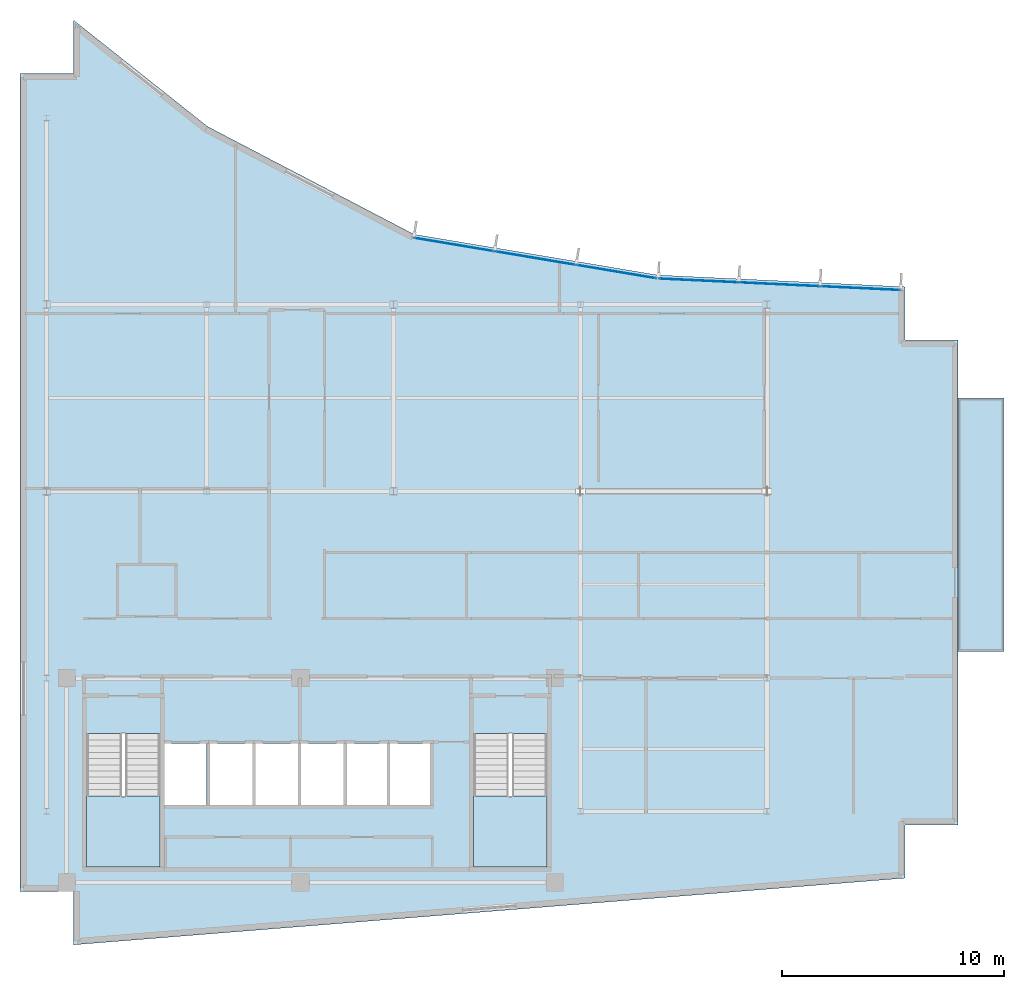
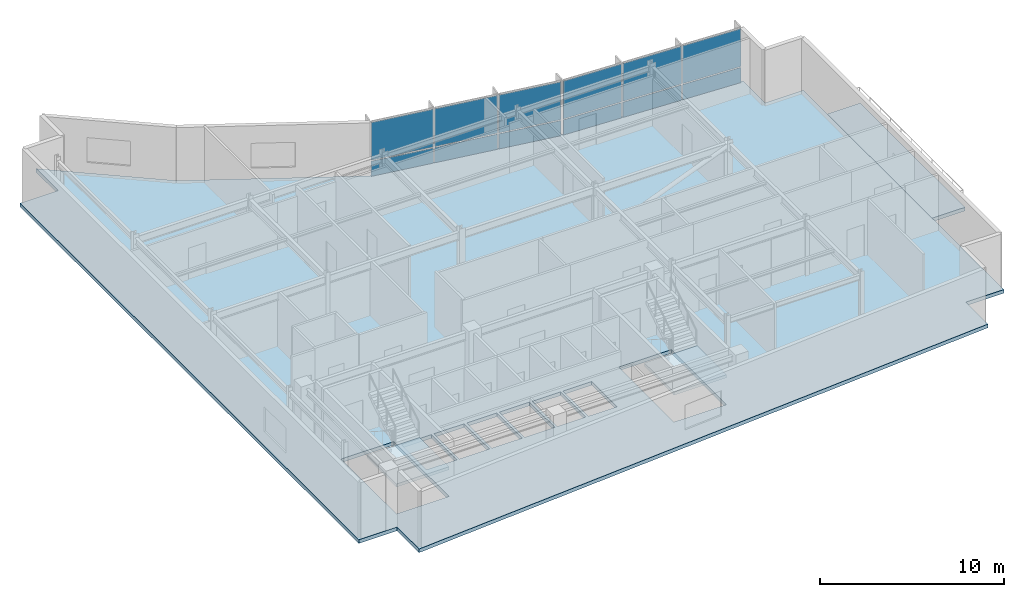
# One storey, part 9 of 17: 12 plates, 4 slabs, 4 elements without a shape of their own.
"""IFC4 building model written with IfcOpenShell, lengths in metres."""

from ifc_helpers import new_model, si_unit, direction, frame, origin, origin_2d, place, context, subcontext, project, spatial, polyline, rectangle, outline, extrude, material, layer, layer_set, type_object, element, aggregate, save


model = new_model("IFC4")

# Units and contexts
model_context = context("Model", 3, precision=1e-05, world=origin(), true_north=direction((0.0, 1.0)))
body_context = subcontext(model_context, "Body", "Model", "MODEL_VIEW")
ifc_project = project(units=[si_unit("LENGTHUNIT", "METRE"), si_unit("AREAUNIT", "SQUARE_METRE"), si_unit("VOLUMEUNIT", "CUBIC_METRE"), si_unit("PLANEANGLEUNIT", "RADIAN"), si_unit("MASSUNIT", "GRAM", prefix="KILO")], contexts=[model_context])

# Site, building, storey
site_placement = place(None, origin())
site = spatial("IfcSite", under=ifc_project, at=site_placement, CompositionType="ELEMENT")
building_placement = place(site_placement, origin())
building = spatial("IfcBuilding", under=site, at=building_placement, Name="Varnakote Quay Hospital", CompositionType="ELEMENT")
storey_placement = place(building_placement, frame((0.0, 0.0, 256.550048828125)))
storey = spatial("IfcBuildingStorey", under=building, at=storey_placement, Name="L63", CompositionType="ELEMENT", Elevation=256.550048828125)

# Curtain wall, plates
ifc_material_1 = material(Name="Anodised aluminium 6063-T6 Bronze", Category="aluminium")
ifc_layer_1 = layer(ifc_material_1, 0.235107421875)
ifc_layer_set_1 = layer_set([ifc_layer_1], Name="Anodised aluminium 6063-T6 Bronze")
curtain_wall_type = type_object("IfcCurtainWallType", Name="CW-SYS-5", PredefinedType="NOTDEFINED", material=ifc_layer_set_1)
curtain_wall_1_placement = place(storey_placement, origin())
curtain_wall_1 = element("IfcCurtainWall", 1, at=curtain_wall_1_placement, inside=storey, type_object=curtain_wall_type, Name="L63 Unitised Bronze Curtain Wall 1", PredefinedType="NOTDEFINED")
ifc_material_2 = material(Name="Double-glazed low-E solar glass", Category="glass")
ifc_layer_2 = layer(ifc_material_2, 0.028076171875)
ifc_layer_set_2 = layer_set([ifc_layer_2], Name="Double-glazed low-E solar glass")
plate_type = type_object("IfcPlateType", Name="CW-PNL-GLZ-28", PredefinedType="CURTAIN_PANEL", material=ifc_layer_set_2)
plate_1_placement = place(storey_placement, frame((37.796875, 29.53515625, 0.06494140625), z_axis=(0.0, 0.0, 1.0), x_axis=(-0.998871392955, 0.04749674026, 0.0)))
plate_1 = element("IfcPlate", 2, at=plate_1_placement, type_object=plate_type, Name="-5-L63-1 panel 1.1", PredefinedType="CURTAIN_PANEL", context=body_context, shape_type="SweptSolid", body=[
    extrude(rectangle(XDim=3.560302734375, YDim=0.028076171875, at=origin_2d()), origin(), (0.0, 0.0, 1.0), 1.00244140625),
])
plate_2_placement = place(storey_placement, frame((37.796875, 29.53515625, 1.13232421875), z_axis=(0.0, 0.0, 1.0), x_axis=(-0.998871392955, 0.04749674026, 0.0)))
plate_2 = element("IfcPlate", 3, at=plate_2_placement, type_object=plate_type, Name="-5-L63-1 panel 1.2", PredefinedType="CURTAIN_PANEL", context=body_context, shape_type="SweptSolid", body=[
    extrude(rectangle(XDim=3.560302734375, YDim=0.028076171875, at=origin_2d()), origin(), (0.0, 0.0, 1.0), 2.512451171875),
])
plate_3_placement = place(storey_placement, frame((34.159423828125, 29.7080078125, 0.06494140625), z_axis=(0.0, 0.0, 1.0), x_axis=(-0.998871392955, 0.04749674026, 0.0)))
plate_3 = element("IfcPlate", 4, at=plate_3_placement, type_object=plate_type, Name="-5-L63-1 panel 2.1", PredefinedType="CURTAIN_PANEL", context=body_context, shape_type="SweptSolid", body=[
    extrude(rectangle(XDim=3.5927734375, YDim=0.028076171875, at=origin_2d()), origin(), (0.0, 0.0, 1.0), 1.00244140625),
])
plate_4_placement = place(storey_placement, frame((34.159423828125, 29.7080078125, 1.13232421875), z_axis=(0.0, 0.0, 1.0), x_axis=(-0.998871392955, 0.04749674026, 0.0)))
plate_4 = element("IfcPlate", 5, at=plate_4_placement, type_object=plate_type, Name="-5-L63-1 panel 2.2", PredefinedType="CURTAIN_PANEL", context=body_context, shape_type="SweptSolid", body=[
    extrude(rectangle(XDim=3.5927734375, YDim=0.028076171875, at=origin_2d()), origin(), (0.0, 0.0, 1.0), 2.512451171875),
])
plate_5_placement = place(storey_placement, frame((30.52197265625, 29.880859375, 0.06494140625), z_axis=(0.0, 0.0, 1.0), x_axis=(-0.998871392955, 0.04749674026, 0.0)))
plate_5 = element("IfcPlate", 6, at=plate_5_placement, type_object=plate_type, Name="-5-L63-1 panel 3.1", PredefinedType="CURTAIN_PANEL", context=body_context, shape_type="SweptSolid", body=[
    extrude(rectangle(XDim=3.560302734375, YDim=0.028076171875, at=origin_2d()), origin(), (0.0, 0.0, 1.0), 1.00244140625),
])
plate_6_placement = place(storey_placement, frame((30.52197265625, 29.880859375, 1.13232421875), z_axis=(0.0, 0.0, 1.0), x_axis=(-0.998871392955, 0.04749674026, 0.0)))
plate_6 = element("IfcPlate", 7, at=plate_6_placement, type_object=plate_type, Name="-5-L63-1 panel 3.2", PredefinedType="CURTAIN_PANEL", context=body_context, shape_type="SweptSolid", body=[
    extrude(rectangle(XDim=3.560302734375, YDim=0.028076171875, at=origin_2d()), origin(), (0.0, 0.0, 1.0), 2.512451171875),
])
aggregate(curtain_wall_1, [plate_1, plate_2, plate_3, plate_4, plate_5, plate_6])

curtain_wall_2_placement = place(storey_placement, origin())
curtain_wall_2 = element("IfcCurtainWall", 8, at=curtain_wall_2_placement, inside=storey, type_object=curtain_wall_type, Name="L63 Unitised Bronze Curtain Wall 2", PredefinedType="NOTDEFINED")
plate_7_placement = place(storey_placement, frame((26.82861328125, 30.277587890625, 0.06494140625), z_axis=(0.0, 0.0, 1.0), x_axis=(-0.98634471271, 0.164693982005, 0.0)))
plate_7 = element("IfcPlate", 9, at=plate_7_placement, type_object=plate_type, Name="-5-L63-2 panel 1.1", PredefinedType="CURTAIN_PANEL", context=body_context, shape_type="SweptSolid", body=[
    extrude(rectangle(XDim=3.6220703125, YDim=0.028076171875, at=origin_2d()), origin(), (0.0, 0.0, 1.0), 1.00244140625),
])
plate_8_placement = place(storey_placement, frame((26.82861328125, 30.277587890625, 1.13232421875), z_axis=(0.0, 0.0, 1.0), x_axis=(-0.98634471271, 0.164693982005, 0.0)))
plate_8 = element("IfcPlate", 10, at=plate_8_placement, type_object=plate_type, Name="-5-L63-2 panel 1.2", PredefinedType="CURTAIN_PANEL", context=body_context, shape_type="SweptSolid", body=[
    extrude(rectangle(XDim=3.6220703125, YDim=0.028076171875, at=origin_2d()), origin(), (0.0, 0.0, 1.0), 2.512451171875),
])
plate_9_placement = place(storey_placement, frame((23.17578125, 30.887451171875, 0.06494140625), z_axis=(0.0, 0.0, 1.0), x_axis=(-0.98634471271, 0.164693982005, 0.0)))
plate_9 = element("IfcPlate", 11, at=plate_9_placement, type_object=plate_type, Name="-5-L63-2 panel 2.1", PredefinedType="CURTAIN_PANEL", context=body_context, shape_type="SweptSolid", body=[
    extrude(rectangle(XDim=3.654541015625, YDim=0.028076171875, at=origin_2d()), origin(), (0.0, 0.0, 1.0), 1.00244140625),
])
plate_10_placement = place(storey_placement, frame((23.17578125, 30.887451171875, 1.13232421875), z_axis=(0.0, 0.0, 1.0), x_axis=(-0.98634471271, 0.164693982005, 0.0)))
plate_10 = element("IfcPlate", 12, at=plate_10_placement, type_object=plate_type, Name="-5-L63-2 panel 2.2", PredefinedType="CURTAIN_PANEL", context=body_context, shape_type="SweptSolid", body=[
    extrude(rectangle(XDim=3.654541015625, YDim=0.028076171875, at=origin_2d()), origin(), (0.0, 0.0, 1.0), 2.512451171875),
])
plate_11_placement = place(storey_placement, frame((19.52294921875, 31.497314453125, 0.06494140625), z_axis=(0.0, 0.0, 1.0), x_axis=(-0.98634471271, 0.164693982005, 0.0)))
plate_11 = element("IfcPlate", 13, at=plate_11_placement, type_object=plate_type, Name="-5-L63-2 panel 3.1", PredefinedType="CURTAIN_PANEL", context=body_context, shape_type="SweptSolid", body=[
    extrude(rectangle(XDim=3.6220703125, YDim=0.028076171875, at=origin_2d()), origin(), (0.0, 0.0, 1.0), 1.00244140625),
])
plate_12_placement = place(storey_placement, frame((19.52294921875, 31.497314453125, 1.13232421875), z_axis=(0.0, 0.0, 1.0), x_axis=(-0.98634471271, 0.164693982005, 0.0)))
plate_12 = element("IfcPlate", 14, at=plate_12_placement, type_object=plate_type, Name="-5-L63-2 panel 3.2", PredefinedType="CURTAIN_PANEL", context=body_context, shape_type="SweptSolid", body=[
    extrude(rectangle(XDim=3.6220703125, YDim=0.028076171875, at=origin_2d()), origin(), (0.0, 0.0, 1.0), 2.512451171875),
])
aggregate(curtain_wall_2, [plate_7, plate_8, plate_9, plate_10, plate_11, plate_12])

# Stair, slab
ifc_material_3 = material(Name="Concrete N40 (f'c 40 MPa)", Category="concrete")
stair_type = type_object("IfcStairType", Name="STR-CORE-1580", PredefinedType="HALF_TURN_STAIR", material=ifc_material_3)
stair_1_placement = place(storey_placement, origin())
stair_1 = element("IfcStair", 15, at=stair_1_placement, inside=storey, type_object=stair_type, Name="L63 Fire-Isolated Exit Stair ST-01", PredefinedType="HALF_TURN_STAIR")
ifc_material_4 = material(Name="Concrete N40 (f'c 40 MPa)", Category="concrete")
ifc_layer_3 = layer(ifc_material_4, 0.199951171875)
ifc_layer_set_3 = layer_set([ifc_layer_3], Name="Concrete N40 (f'c 40 MPa)")
slab_type_1 = type_object("IfcSlabType", Name="SLB-STAIR-LND-200", PredefinedType="LANDING", material=ifc_layer_set_3)
slab_1_placement = place(storey_placement, frame((0.0, 0.0, 1.77490234375)))
slab_1 = element("IfcSlab", 16, at=slab_1_placement, type_object=slab_type_1, Name="ST-01 landing 1", PredefinedType="LANDING", context=body_context, shape_type="SweptSolid", body=[
    extrude(outline(polyline([(3.0, 6.699951171875), (3.0, 3.5), (6.300048828125, 3.5), (6.300048828125, 6.699951171875), (3.0, 6.699951171875)])), origin(), (0.0, 0.0, 1.0), 0.199951171875),
])
aggregate(stair_1, [slab_1])

stair_2_placement = place(storey_placement, origin())
stair_2 = element("IfcStair", 17, at=stair_2_placement, inside=storey, type_object=stair_type, Name="L63 Fire-Isolated Exit Stair ST-02", PredefinedType="HALF_TURN_STAIR")
slab_2_placement = place(storey_placement, frame((0.0, 0.0, 1.77490234375)))
slab_2 = element("IfcSlab", 18, at=slab_2_placement, type_object=slab_type_1, Name="ST-02 landing 1", PredefinedType="LANDING", context=body_context, shape_type="SweptSolid", body=[
    extrude(outline(polyline([(20.39990234375, 6.699951171875), (20.39990234375, 3.5), (23.699951171875, 3.5), (23.699951171875, 6.699951171875), (20.39990234375, 6.699951171875)])), origin(), (0.0, 0.0, 1.0), 0.199951171875),
])
aggregate(stair_2, [slab_2])

# Slabs
ifc_material_5 = material(Name="Concrete N50 (f'c 50 MPa)", Category="concrete")
ifc_layer_4 = layer(ifc_material_5, 0.239990234375)
ifc_layer_set_4 = layer_set([ifc_layer_4], Name="Concrete N50 (f'c 50 MPa)")
slab_type_2 = type_object("IfcSlabType", Name="SLB-TERR-200", PredefinedType="FLOOR", material=ifc_layer_set_4)
slab_3_placement = place(storey_placement, frame((0.0, 0.0, -0.239990234375)))
element("IfcSlab", 19, at=slab_3_placement, inside=storey, type_object=slab_type_2, Name="L63 Waterfront Healing Terrace Slab", PredefinedType="FLOOR", context=body_context, shape_type="SweptSolid", body=[
    extrude(outline(polyline([(42.196044921875, 24.60009765625), (42.196044921875, 13.199951171875), (44.260009765625, 13.199951171875), (44.260009765625, 24.60009765625), (42.196044921875, 24.60009765625)])), origin(), (0.0, 0.0, 1.0), 0.239990234375),
])
ifc_material_6 = material(Name="Concrete N50 (f'c 50 MPa)", Category="concrete")
ifc_layer_5 = layer(ifc_material_6, 0.239990234375)
ifc_layer_set_5 = layer_set([ifc_layer_5], Name="Concrete N50 (f'c 50 MPa)")
slab_type_3 = type_object("IfcSlabType", Name="SLB-WARD-200", PredefinedType="FLOOR", material=ifc_layer_set_5)
slab_4_placement = place(storey_placement, frame((0.0, 0.0, -0.239990234375)))
element("IfcSlab", 20, at=slab_4_placement, inside=storey, type_object=slab_type_3, Name="L63 Primary Floor Slab", PredefinedType="FLOOR", context=body_context, shape_type="SweptSolid", body=[
    extrude(outline(polyline([(0.0, 2.39990234375), (2.39990234375, 2.39990234375), (2.39990234375, 0.0), (39.800048828125, 3.0), (39.800048828125, 5.39990234375), (42.199951171875, 5.39990234375), (42.199951171875, 27.199951171875), (39.800048828125, 27.199951171875), (39.800048828125, 29.60009765625), (28.696044921875, 30.1279296875), (17.72412109375, 31.9599609375), (8.43994140625, 36.80810546875), (2.39990234375, 41.60009765625), (2.39990234375, 39.199951171875), (0.0, 39.199951171875), (0.0, 2.39990234375)]), holes=[polyline([(3.0, 3.5), (6.300048828125, 3.5), (6.300048828125, 9.49951171875), (3.0, 9.49951171875), (3.0, 3.5)]), polyline([(20.39990234375, 3.5), (23.699951171875, 3.5), (23.699951171875, 9.49951171875), (20.39990234375, 9.49951171875), (20.39990234375, 3.5)]), polyline([(6.5, 6.300048828125), (8.39990234375, 6.300048828125), (8.39990234375, 9.050048828125), (6.5, 9.050048828125), (6.5, 6.300048828125)]), polyline([(8.550048828125, 6.300048828125), (10.449951171875, 6.300048828125), (10.449951171875, 9.050048828125), (8.550048828125, 9.050048828125), (8.550048828125, 6.300048828125)]), polyline([(10.60009765625, 6.300048828125), (12.5, 6.300048828125), (12.5, 9.050048828125), (10.60009765625, 9.050048828125), (10.60009765625, 6.300048828125)]), polyline([(12.64990234375, 6.300048828125), (14.550048828125, 6.300048828125), (14.550048828125, 9.050048828125), (12.64990234375, 9.050048828125), (12.64990234375, 6.300048828125)]), polyline([(14.699951171875, 6.300048828125), (16.5, 6.300048828125), (16.5, 9.050048828125), (14.699951171875, 9.050048828125), (14.699951171875, 6.300048828125)]), polyline([(16.64990234375, 6.300048828125), (18.449951171875, 6.300048828125), (18.449951171875, 9.050048828125), (16.64990234375, 9.050048828125), (16.64990234375, 6.300048828125)])]), origin(), (0.0, 0.0, 1.0), 0.239990234375),
])

save(model, "model.ifc")
